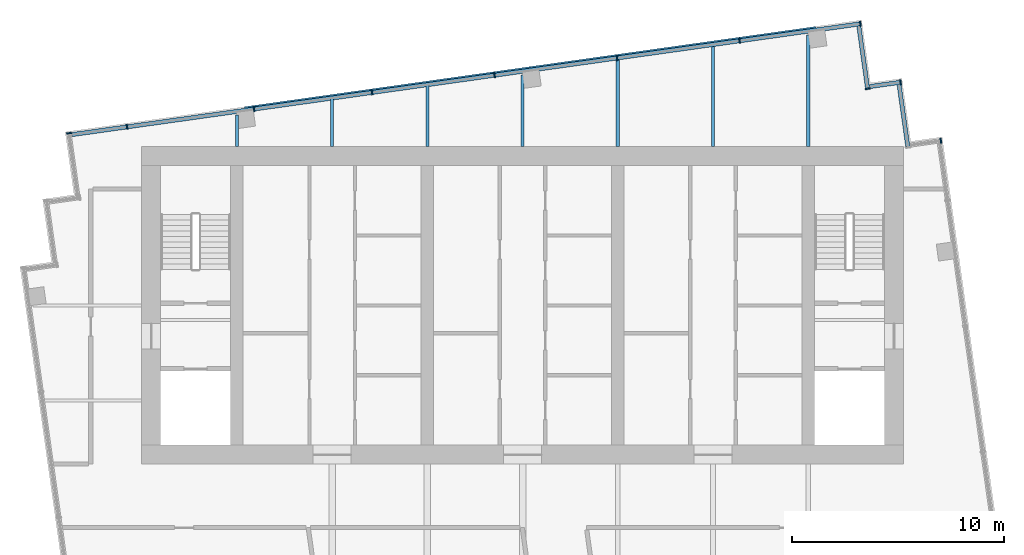
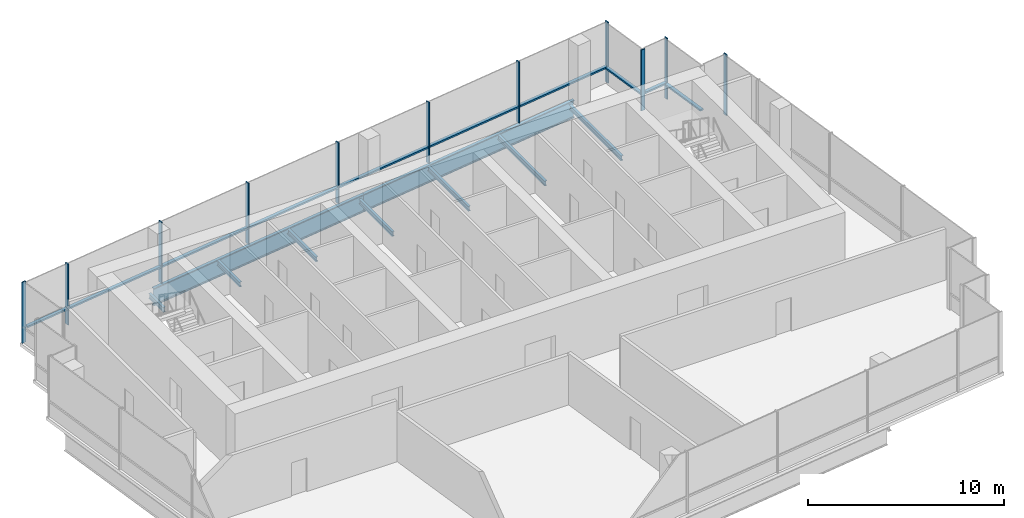
# One storey, part 5 of 10: 21 members, 9 beams, 6 elements without a shape of their own.
"""IFC4 building model written with IfcOpenShell, lengths in metres."""

from ifc_helpers import new_model, si_unit, direction, frame, origin, origin_2d, place, context, subcontext, project, spatial, rectangle, i_section, extrude, material, layer, layer_set, material_profile, profile_set, type_object, element, aggregate, save


model = new_model("IFC4")

# Units and contexts
model_context = context("Model", 3, precision=1e-05, world=origin(), true_north=direction((0.0, 1.0)))
body_context = subcontext(model_context, "Body", "Model", "MODEL_VIEW")
ifc_project = project(units=[si_unit("LENGTHUNIT", "METRE"), si_unit("AREAUNIT", "SQUARE_METRE"), si_unit("VOLUMEUNIT", "CUBIC_METRE"), si_unit("PLANEANGLEUNIT", "RADIAN"), si_unit("MASSUNIT", "GRAM", prefix="KILO")], contexts=[model_context])

# Site, building, storey
site_placement = place(None, origin())
site = spatial("IfcSite", under=ifc_project, at=site_placement, CompositionType="ELEMENT")
building_placement = place(site_placement, origin())
building = spatial("IfcBuilding", under=site, at=building_placement, Name="Rattan Terrace Tower", CompositionType="ELEMENT")
storey_placement = place(building_placement, frame((0.0, 0.0, 300.300048828125)))
storey = spatial("IfcBuildingStorey", under=building, at=storey_placement, Name="C03", CompositionType="ELEMENT", Elevation=300.300048828125)

# Beams
ifc_material_1 = material(Name="Steel S460", Category="steel")
ifc_material_profile_1 = material_profile(ifc_material_1, i_section(OverallWidth=0.179931640625, OverallDepth=1.10009765625, WebThickness=0.01611328125, FlangeThickness=0.050048828125, at=origin_2d()), Name="PG 1100x180-16-50")
ifc_profile_set_1 = profile_set([ifc_material_profile_1], Name="Steel S460")
beam_type_1 = type_object("IfcBeamType", Name="Frame edge girder PG 1100x180-16-50", PredefinedType="SPANDREL", material=ifc_profile_set_1)
beam_1_placement = place(storey_placement, frame((0.361083984375, 11.19189453125, -0.75), z_axis=(-0.990261517274, -0.139219709116, 0.0), x_axis=(0.139219709116, -0.990261517274, 0.0)))
element("IfcBeam", 1, at=beam_1_placement, inside=storey, type_object=beam_type_1, Name="gdr-C03-004", PredefinedType="SPANDREL", context=body_context, shape_type="SweptSolid", body=[
    extrude(i_section(OverallWidth=0.179931640625, OverallDepth=1.10009765625, WebThickness=0.01611328125, FlangeThickness=0.050048828125, at=origin_2d()), origin(), (0.0, 0.0, 1.0), 13.6328125),
])
beam_2_placement = place(storey_placement, frame((13.861083984375, 13.089111328125, -0.75), z_axis=(-0.990268922684, -0.139167024707, 0.0), x_axis=(0.139167024707, -0.990268922684, 0.0)))
element("IfcBeam", 2, at=beam_2_placement, inside=storey, type_object=beam_type_1, Name="gdr-C03-005", PredefinedType="SPANDREL", context=body_context, shape_type="SweptSolid", body=[
    extrude(i_section(OverallWidth=0.179931640625, OverallDepth=1.10009765625, WebThickness=0.01611328125, FlangeThickness=0.050048828125, at=origin_2d()), origin(), (0.0, 0.0, 1.0), 13.632568359375),
])
ifc_material_2 = material(Name="Steel S355", Category="steel")
ifc_material_profile_2 = material_profile(ifc_material_2, i_section(OverallWidth=0.14990234375, OverallDepth=0.300048828125, WebThickness=0.007080078125, FlangeThickness=0.0107421875, FilletRadius=0.014892578125, at=origin_2d()), Name="IPE 300")
ifc_profile_set_2 = profile_set([ifc_material_profile_2], Name="Steel S355")
beam_type_2 = type_object("IfcBeamType", Name="Frame floor beam IPE 300", PredefinedType="JOIST", material=ifc_profile_set_2)
beam_3_placement = place(storey_placement, frame((-13.5, 7.5, -0.35009765625), z_axis=(0.0, 1.0, 0.0), x_axis=(-1.0, 0.0, 0.0)))
element("IfcBeam", 3, at=beam_3_placement, inside=storey, type_object=beam_type_2, Name="bm-C03-011", PredefinedType="JOIST", context=body_context, shape_type="SweptSolid", body=[
    extrude(i_section(OverallWidth=0.14990234375, OverallDepth=0.300048828125, WebThickness=0.007080078125, FlangeThickness=0.0107421875, FilletRadius=0.014892578125, at=origin_2d()), origin(), (0.0, 0.0, 1.0), 1.487060546875),
])
beam_4_placement = place(storey_placement, frame((-9.0, 7.5, -0.35009765625), z_axis=(0.0, 1.0, 0.0), x_axis=(-1.0, 0.0, 0.0)))
element("IfcBeam", 4, at=beam_4_placement, inside=storey, type_object=beam_type_2, Name="bm-C03-012", PredefinedType="JOIST", context=body_context, shape_type="SweptSolid", body=[
    extrude(i_section(OverallWidth=0.14990234375, OverallDepth=0.300048828125, WebThickness=0.007080078125, FlangeThickness=0.0107421875, FilletRadius=0.014892578125, at=origin_2d()), origin(), (0.0, 0.0, 1.0), 2.284912109375),
])
beam_5_placement = place(storey_placement, frame((-4.5, 7.5, -0.35009765625), z_axis=(0.0, 1.0, 0.0), x_axis=(-1.0, 0.0, 0.0)))
element("IfcBeam", 5, at=beam_5_placement, inside=storey, type_object=beam_type_2, Name="bm-C03-013", PredefinedType="JOIST", context=body_context, shape_type="SweptSolid", body=[
    extrude(i_section(OverallWidth=0.14990234375, OverallDepth=0.300048828125, WebThickness=0.007080078125, FlangeThickness=0.0107421875, FilletRadius=0.014892578125, at=origin_2d()), origin(), (0.0, 0.0, 1.0), 2.91796875),
])
beam_6_placement = place(storey_placement, frame((0.0, 7.5, -0.35009765625), z_axis=(0.0, 1.0, 0.0), x_axis=(-1.0, 0.0, 0.0)))
element("IfcBeam", 6, at=beam_6_placement, inside=storey, type_object=beam_type_2, Name="bm-C03-014", PredefinedType="JOIST", context=body_context, shape_type="SweptSolid", body=[
    extrude(i_section(OverallWidth=0.14990234375, OverallDepth=0.300048828125, WebThickness=0.007080078125, FlangeThickness=0.0107421875, FilletRadius=0.014892578125, at=origin_2d()), origin(), (0.0, 0.0, 1.0), 3.385009765625),
])
beam_7_placement = place(storey_placement, frame((4.5, 7.5, -0.35009765625), z_axis=(0.0, 1.0, 0.0), x_axis=(-1.0, 0.0, 0.0)))
element("IfcBeam", 7, at=beam_7_placement, inside=storey, type_object=beam_type_2, Name="bm-C03-015", PredefinedType="JOIST", context=body_context, shape_type="SweptSolid", body=[
    extrude(i_section(OverallWidth=0.14990234375, OverallDepth=0.300048828125, WebThickness=0.007080078125, FlangeThickness=0.0107421875, FilletRadius=0.014892578125, at=origin_2d()), origin(), (0.0, 0.0, 1.0), 4.18310546875),
])
beam_8_placement = place(storey_placement, frame((9.0, 7.5, -0.35009765625), z_axis=(0.0, 1.0, 0.0), x_axis=(-1.0, 0.0, 0.0)))
element("IfcBeam", 8, at=beam_8_placement, inside=storey, type_object=beam_type_2, Name="bm-C03-016", PredefinedType="JOIST", context=body_context, shape_type="SweptSolid", body=[
    extrude(i_section(OverallWidth=0.14990234375, OverallDepth=0.300048828125, WebThickness=0.007080078125, FlangeThickness=0.0107421875, FilletRadius=0.014892578125, at=origin_2d()), origin(), (0.0, 0.0, 1.0), 4.81494140625),
])
beam_9_placement = place(storey_placement, frame((13.5, 7.5, -0.35009765625), z_axis=(0.0, 1.0, 0.0), x_axis=(-1.0, 0.0, 0.0)))
element("IfcBeam", 9, at=beam_9_placement, inside=storey, type_object=beam_type_2, Name="bm-C03-017", PredefinedType="JOIST", context=body_context, shape_type="SweptSolid", body=[
    extrude(i_section(OverallWidth=0.14990234375, OverallDepth=0.300048828125, WebThickness=0.007080078125, FlangeThickness=0.0107421875, FilletRadius=0.014892578125, at=origin_2d()), origin(), (0.0, 0.0, 1.0), 5.281982421875),
])

# Curtain wall, member
ifc_material_3 = material(Name="Aluminium and laminated glass", Category="aluminium")
ifc_layer = layer(ifc_material_3, 0.239990234375)
ifc_layer_set = layer_set([ifc_layer], Name="Lantern Stick Curtain Wall")
curtain_wall_type = type_object("IfcCurtainWallType", Name="Lantern Stick Curtain Wall", PredefinedType="NOTDEFINED", material=ifc_layer_set)
curtain_wall_1_placement = place(storey_placement, origin())
curtain_wall_1 = element("IfcCurtainWall", 10, at=curtain_wall_1_placement, inside=storey, type_object=curtain_wall_type, Name="Lantern curtain wall C03-12", PredefinedType="NOTDEFINED")
ifc_material_4 = material(Name="Aluminium", Category="aluminium")
ifc_material_profile_3 = material_profile(ifc_material_4, rectangle(XDim=0.070068359375, YDim=0.239990234375, at=origin_2d()), Name="Aluminium 70x240")
ifc_profile_set_3 = profile_set([ifc_material_profile_3], Name="Aluminium")
member_type_1 = type_object("IfcMemberType", Name="Lantern CW Mullion 70x240", PredefinedType="MULLION", material=ifc_profile_set_3)
member_1_placement = place(storey_placement, frame((19.763427734375, 7.77880859375, 0.0), z_axis=(0.0, 0.0, 1.0), x_axis=(-0.990227803001, -0.139459306479, 0.0)))
member_1 = element("IfcMember", 11, at=member_1_placement, type_object=member_type_1, Name="Mullion cwl-C03-012.1", PredefinedType="MULLION", context=body_context, shape_type="SweptSolid", body=[
    extrude(rectangle(XDim=0.070068359375, YDim=0.239990234375, at=origin_2d()), origin(), (0.0, 0.0, 1.0), 3.800048828125),
])
aggregate(curtain_wall_1, [member_1])

curtain_wall_2_placement = place(storey_placement, origin())
curtain_wall_2 = element("IfcCurtainWall", 12, at=curtain_wall_2_placement, inside=storey, type_object=curtain_wall_type, Name="Lantern curtain wall C03-14", PredefinedType="NOTDEFINED")
member_2_placement = place(storey_placement, frame((17.860595703125, 10.54296875, 0.0), z_axis=(0.0, 0.0, 1.0), x_axis=(-0.990319742912, -0.13880492354, 0.0)))
member_2 = element("IfcMember", 13, at=member_2_placement, type_object=member_type_1, Name="Mullion cwl-C03-014.1", PredefinedType="MULLION", context=body_context, shape_type="SweptSolid", body=[
    extrude(rectangle(XDim=0.070068359375, YDim=0.239990234375, at=origin_2d()), origin(), (0.0, 0.0, 1.0), 3.800048828125),
])

curtain_wall_3_placement = place(storey_placement, origin())
curtain_wall_3 = element("IfcCurtainWall", 14, at=curtain_wall_3_placement, inside=storey, type_object=curtain_wall_type, Name="Lantern curtain wall C03-15", PredefinedType="NOTDEFINED")
member_3_placement = place(storey_placement, frame((16.30419921875, 10.239013671875, 0.0), z_axis=(0.0, 0.0, 1.0), x_axis=(-0.139413247769, 0.990234288614, 0.0)))
member_3 = element("IfcMember", 15, at=member_3_placement, type_object=member_type_1, Name="Mullion cwl-C03-015.1", PredefinedType="MULLION", context=body_context, shape_type="SweptSolid", body=[
    extrude(rectangle(XDim=0.070068359375, YDim=0.239990234375, at=origin_2d()), origin(), (0.0, 0.0, 1.0), 3.800048828125),
])

# Curtain wall, members
curtain_wall_4_placement = place(storey_placement, origin())
curtain_wall_4 = element("IfcCurtainWall", 16, at=curtain_wall_4_placement, inside=storey, type_object=curtain_wall_type, Name="Lantern curtain wall C03-16", PredefinedType="NOTDEFINED")
member_4_placement = place(storey_placement, frame((15.95849609375, 13.3037109375, 0.0), z_axis=(0.0, 0.0, 1.0), x_axis=(-0.990266952226, -0.13918104515, 0.0)))
member_4 = element("IfcMember", 17, at=member_4_placement, type_object=member_type_1, Name="Mullion cwl-C03-016.1", PredefinedType="MULLION", context=body_context, shape_type="SweptSolid", body=[
    extrude(rectangle(XDim=0.070068359375, YDim=0.239990234375, at=origin_2d()), origin(), (0.0, 0.0, 1.0), 3.800048828125),
])
member_5_placement = place(storey_placement, frame((10.253662109375, 12.501953125, 0.0), z_axis=(0.0, 0.0, 1.0), x_axis=(-0.990266952226, -0.13918104515, 0.0)))
member_5 = element("IfcMember", 18, at=member_5_placement, type_object=member_type_1, Name="Mullion cwl-C03-016.2", PredefinedType="MULLION", context=body_context, shape_type="SweptSolid", body=[
    extrude(rectangle(XDim=0.070068359375, YDim=0.239990234375, at=origin_2d()), origin(), (0.0, 0.0, 1.0), 3.800048828125),
])
member_6_placement = place(storey_placement, frame((4.464599609375, 11.6884765625, 0.0), z_axis=(0.0, 0.0, 1.0), x_axis=(-0.990266952226, -0.13918104515, 0.0)))
member_6 = element("IfcMember", 19, at=member_6_placement, type_object=member_type_1, Name="Mullion cwl-C03-016.3", PredefinedType="MULLION", context=body_context, shape_type="SweptSolid", body=[
    extrude(rectangle(XDim=0.070068359375, YDim=0.239990234375, at=origin_2d()), origin(), (0.0, 0.0, 1.0), 3.800048828125),
])
member_7_placement = place(storey_placement, frame((-1.32470703125, 10.874755859375, 0.0), z_axis=(0.0, 0.0, 1.0), x_axis=(-0.990266952226, -0.13918104515, 0.0)))
member_7 = element("IfcMember", 20, at=member_7_placement, type_object=member_type_1, Name="Mullion cwl-C03-016.4", PredefinedType="MULLION", context=body_context, shape_type="SweptSolid", body=[
    extrude(rectangle(XDim=0.070068359375, YDim=0.239990234375, at=origin_2d()), origin(), (0.0, 0.0, 1.0), 3.800048828125),
])
member_8_placement = place(storey_placement, frame((-7.11376953125, 10.06103515625, 0.0), z_axis=(0.0, 0.0, 1.0), x_axis=(-0.990266952226, -0.13918104515, 0.0)))
member_8 = element("IfcMember", 21, at=member_8_placement, type_object=member_type_1, Name="Mullion cwl-C03-016.5", PredefinedType="MULLION", context=body_context, shape_type="SweptSolid", body=[
    extrude(rectangle(XDim=0.070068359375, YDim=0.239990234375, at=origin_2d()), origin(), (0.0, 0.0, 1.0), 3.800048828125),
])
member_9_placement = place(storey_placement, frame((-12.6875, 9.277587890625, 0.0), z_axis=(0.0, 0.0, 1.0), x_axis=(-0.990266952226, -0.13918104515, 0.0)))
member_9 = element("IfcMember", 22, at=member_9_placement, type_object=member_type_1, Name="Mullion cwl-C03-016.6", PredefinedType="MULLION", context=body_context, shape_type="SweptSolid", body=[
    extrude(rectangle(XDim=0.070068359375, YDim=0.239990234375, at=origin_2d()), origin(), (0.0, 0.0, 1.0), 3.800048828125),
])
member_10_placement = place(storey_placement, frame((-18.69189453125, 8.433837890625, 0.0), z_axis=(0.0, 0.0, 1.0), x_axis=(-0.990266952226, -0.13918104515, 0.0)))
member_10 = element("IfcMember", 23, at=member_10_placement, type_object=member_type_1, Name="Mullion cwl-C03-016.7", PredefinedType="MULLION", context=body_context, shape_type="SweptSolid", body=[
    extrude(rectangle(XDim=0.070068359375, YDim=0.239990234375, at=origin_2d()), origin(), (0.0, 0.0, 1.0), 3.800048828125),
])

# Curtain wall, member
curtain_wall_5_placement = place(storey_placement, origin())
curtain_wall_5 = element("IfcCurtainWall", 24, at=curtain_wall_5_placement, inside=storey, type_object=curtain_wall_type, Name="Lantern curtain wall C03-17", PredefinedType="NOTDEFINED")
member_11_placement = place(storey_placement, frame((-21.431884765625, 8.134521484375, 0.0), z_axis=(0.0, 0.0, 1.0), x_axis=(0.139040257975, -0.990286729519, 0.0)))
member_11 = element("IfcMember", 25, at=member_11_placement, type_object=member_type_1, Name="Mullion cwl-C03-017.1", PredefinedType="MULLION", context=body_context, shape_type="SweptSolid", body=[
    extrude(rectangle(XDim=0.070068359375, YDim=0.239990234375, at=origin_2d()), origin(), (0.0, 0.0, 1.0), 3.800048828125),
])
aggregate(curtain_wall_5, [member_11])

curtain_wall_6_placement = place(storey_placement, origin())
curtain_wall_6 = element("IfcCurtainWall", 26, at=curtain_wall_6_placement, inside=storey, type_object=curtain_wall_type, Name="Lantern curtain wall C03-13", PredefinedType="NOTDEFINED")
ifc_material_5 = material(Name="Aluminium", Category="aluminium")
ifc_material_profile_4 = material_profile(ifc_material_5, rectangle(XDim=0.199951171875, YDim=0.10009765625, at=origin_2d()), Name="Aluminium 200x100")
ifc_profile_set_4 = profile_set([ifc_material_profile_4], Name="Aluminium")
member_type_2 = type_object("IfcMemberType", Name="Lantern CW Transom 200x100", PredefinedType="USERDEFINED", material=ifc_profile_set_4)
member_12_placement = place(storey_placement, frame((18.202392578125, 7.508544921875, 1.0), z_axis=(-0.139532909028, 0.990217434354, 0.0), x_axis=(-0.990217434354, -0.139532909028, 0.0)))
member_12 = element("IfcMember", 27, at=member_12_placement, type_object=member_type_2, Name="Transom cwl-C03-013.1", ObjectType="TRANSOM", PredefinedType="USERDEFINED", context=body_context, shape_type="SweptSolid", body=[
    extrude(rectangle(XDim=0.199951171875, YDim=0.10009765625, at=origin_2d()), origin(), (0.0, 0.0, 1.0), 2.9326171875),
])
aggregate(curtain_wall_6, [member_12])

# Member
member_13_placement = place(storey_placement, frame((17.825927734375, 10.5380859375, 1.0), z_axis=(-0.990301815941, -0.13893276555, 0.0), x_axis=(0.13893276555, -0.990301815941, 0.0)))
member_13 = element("IfcMember", 28, at=member_13_placement, type_object=member_type_2, Name="Transom cwl-C03-014.1", ObjectType="TRANSOM", PredefinedType="USERDEFINED", context=body_context, shape_type="SweptSolid", body=[
    extrude(rectangle(XDim=0.199951171875, YDim=0.10009765625, at=origin_2d()), origin(), (0.0, 0.0, 1.0), 1.4287109375),
])

aggregate(curtain_wall_2, [member_2, member_13])

member_14_placement = place(storey_placement, frame((16.29931640625, 10.2734375, 1.0), z_axis=(-0.139401737802, 0.990235909013, 0.0), x_axis=(-0.990235909013, -0.139401737802, 0.0)))
member_14 = element("IfcMember", 29, at=member_14_placement, type_object=member_type_2, Name="Transom cwl-C03-015.1", ObjectType="TRANSOM", PredefinedType="USERDEFINED", context=body_context, shape_type="SweptSolid", body=[
    extrude(rectangle(XDim=0.199951171875, YDim=0.10009765625, at=origin_2d()), origin(), (0.0, 0.0, 1.0), 2.92822265625),
])

aggregate(curtain_wall_3, [member_3, member_14])

member_15_placement = place(storey_placement, frame((15.923828125, 13.299072265625, 1.0), z_axis=(-0.990262771001, -0.139210791141, 0.0), x_axis=(0.139210791141, -0.990262771001, 0.0)))
member_15 = element("IfcMember", 30, at=member_15_placement, type_object=member_type_2, Name="Transom cwl-C03-016.1", ObjectType="TRANSOM", PredefinedType="USERDEFINED", context=body_context, shape_type="SweptSolid", body=[
    extrude(rectangle(XDim=0.199951171875, YDim=0.10009765625, at=origin_2d()), origin(), (0.0, 0.0, 1.0), 5.69091796875),
])

member_16_placement = place(storey_placement, frame((10.218994140625, 12.4970703125, 1.0), z_axis=(-0.990265684123, -0.139190067348, 0.0), x_axis=(0.139190067348, -0.990265684123, 0.0)))
member_16 = element("IfcMember", 31, at=member_16_placement, type_object=member_type_2, Name="Transom cwl-C03-016.2", ObjectType="TRANSOM", PredefinedType="USERDEFINED", context=body_context, shape_type="SweptSolid", body=[
    extrude(rectangle(XDim=0.199951171875, YDim=0.10009765625, at=origin_2d()), origin(), (0.0, 0.0, 1.0), 5.77587890625),
])

member_17_placement = place(storey_placement, frame((4.429931640625, 11.68359375, 1.0), z_axis=(-0.990266502976, -0.139184241508, 0.0), x_axis=(0.139184241508, -0.990266502976, 0.0)))
member_17 = element("IfcMember", 32, at=member_17_placement, type_object=member_type_2, Name="Transom cwl-C03-016.3", ObjectType="TRANSOM", PredefinedType="USERDEFINED", context=body_context, shape_type="SweptSolid", body=[
    extrude(rectangle(XDim=0.199951171875, YDim=0.10009765625, at=origin_2d()), origin(), (0.0, 0.0, 1.0), 5.776123046875),
])

member_18_placement = place(storey_placement, frame((-1.359375, 10.869873046875, 1.0), z_axis=(-0.990265684123, -0.139190067348, 0.0), x_axis=(0.139190067348, -0.990265684123, 0.0)))
member_18 = element("IfcMember", 33, at=member_18_placement, type_object=member_type_2, Name="Transom cwl-C03-016.4", ObjectType="TRANSOM", PredefinedType="USERDEFINED", context=body_context, shape_type="SweptSolid", body=[
    extrude(rectangle(XDim=0.199951171875, YDim=0.10009765625, at=origin_2d()), origin(), (0.0, 0.0, 1.0), 5.77587890625),
])

member_19_placement = place(storey_placement, frame((-7.1484375, 10.05615234375, 1.0), z_axis=(-0.990265851054, -0.139188879712, 0.0), x_axis=(0.139188879712, -0.990265851054, 0.0)))
member_19 = element("IfcMember", 34, at=member_19_placement, type_object=member_type_2, Name="Transom cwl-C03-016.5", ObjectType="TRANSOM", PredefinedType="USERDEFINED", context=body_context, shape_type="SweptSolid", body=[
    extrude(rectangle(XDim=0.199951171875, YDim=0.10009765625, at=origin_2d()), origin(), (0.0, 0.0, 1.0), 5.55859375),
])

member_20_placement = place(storey_placement, frame((-12.72216796875, 9.272705078125, 1.0), z_axis=(-0.990271143275, -0.139151222765, 0.0), x_axis=(0.139151222765, -0.990271143275, 0.0)))
member_20 = element("IfcMember", 35, at=member_20_placement, type_object=member_type_2, Name="Transom cwl-C03-016.6", ObjectType="TRANSOM", PredefinedType="USERDEFINED", context=body_context, shape_type="SweptSolid", body=[
    extrude(rectangle(XDim=0.199951171875, YDim=0.10009765625, at=origin_2d()), origin(), (0.0, 0.0, 1.0), 5.993408203125),
])

member_21_placement = place(storey_placement, frame((-18.7265625, 8.428955078125, 1.0), z_axis=(-0.990256983473, -0.139251953963, 0.0), x_axis=(0.139251953963, -0.990256983473, 0.0)))
member_21 = element("IfcMember", 36, at=member_21_placement, type_object=member_type_2, Name="Transom cwl-C03-016.7", ObjectType="TRANSOM", PredefinedType="USERDEFINED", context=body_context, shape_type="SweptSolid", body=[
    extrude(rectangle(XDim=0.199951171875, YDim=0.10009765625, at=origin_2d()), origin(), (0.0, 0.0, 1.0), 2.60009765625),
])

aggregate(curtain_wall_4, [member_4, member_5, member_6, member_7, member_8, member_9, member_10, member_15, member_16, member_17, member_18, member_19, member_20, member_21])

save(model, "model.ifc")
